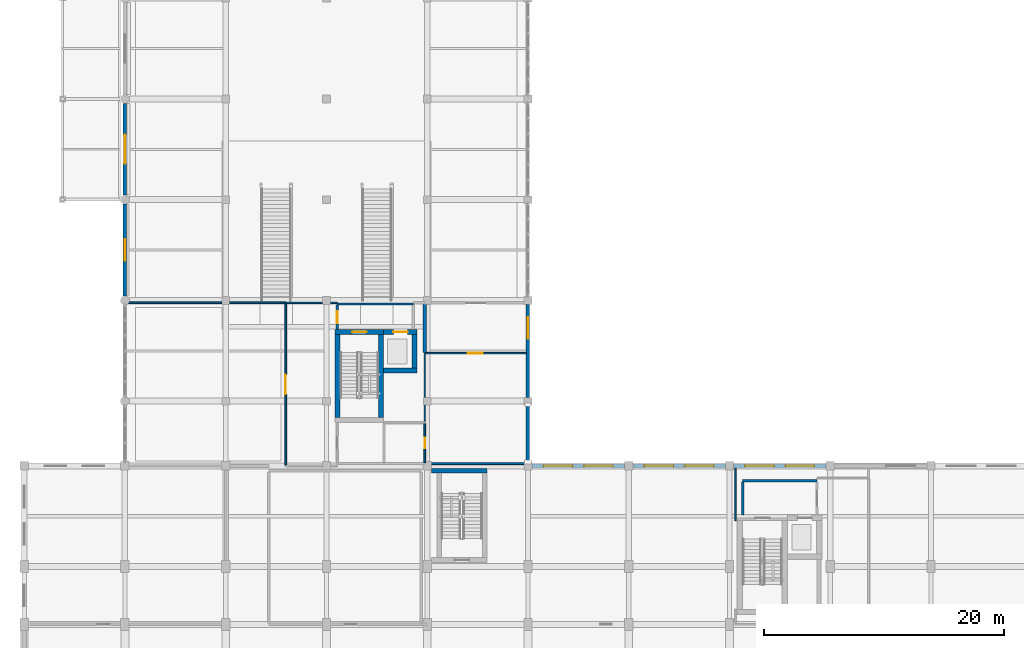
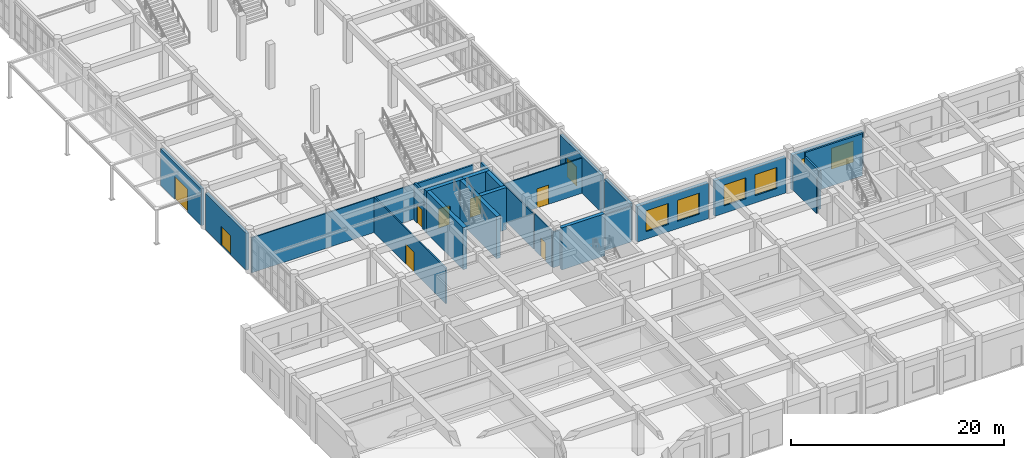
# One storey, part 57 of 80: 27 walls, 9 doors, 6 windows, 15 openings.
"""IFC4 building model written with IfcOpenShell, lengths in metres."""

from ifc_helpers import new_model, si_unit, direction, frame, frame_2d, origin, place, context, subcontext, project, spatial, rectangle, extrude, material, layer, layer_set, type_object, element, fill, save


model = new_model("IFC4")

# Units and contexts
model_context = context("Model", 3, precision=1e-05, world=origin(), true_north=direction((0.0, 1.0)))
body_context = subcontext(model_context, "Body", "Model", "MODEL_VIEW")
ifc_project = project(units=[si_unit("LENGTHUNIT", "METRE"), si_unit("AREAUNIT", "SQUARE_METRE"), si_unit("VOLUMEUNIT", "CUBIC_METRE"), si_unit("PLANEANGLEUNIT", "RADIAN"), si_unit("MASSUNIT", "GRAM", prefix="KILO")], contexts=[model_context])

# Site, building, storey
site_placement = place(None, origin())
site = spatial("IfcSite", under=ifc_project, at=site_placement, CompositionType="ELEMENT")
building_placement = place(site_placement, origin())
building = spatial("IfcBuilding", under=site, at=building_placement, Name="Krzemoval Escarpment Law Courts", CompositionType="ELEMENT")
storey_placement = place(building_placement, origin())
storey = spatial("IfcBuildingStorey", under=building, at=storey_placement, Name="L00", CompositionType="ELEMENT", Elevation=0.0)

# Wall, opening, door
ifc_material_1 = material(Name="Precast concrete C40/50", Category="concrete")
ifc_layer_1 = layer(ifc_material_1, 0.300048828125)
ifc_layer_set_1 = layer_set([ifc_layer_1], Name="Precast concrete C40/50")
wall_type_1 = type_object("IfcWallType", Name="WL-EXT-300", PredefinedType="SOLIDWALL", material=ifc_layer_set_1)
wall_1_placement = place(storey_placement, frame((8.39990234375, 49.574951171875, 0.0), z_axis=(0.0, 0.0, 1.0), x_axis=(0.0, 1.0, 0.0)))
wall_1 = element("IfcWall", 1, at=wall_1_placement, inside=storey, type_object=wall_type_1, Name="Exterior Wall EW-L00-0065", PredefinedType="SOLIDWALL", context=body_context, shape_type="SweptSolid", body=[
    extrude(rectangle(XDim=7.650146484375, YDim=0.300048828125, at=frame_2d((3.8251953125, 0.0))), origin(), (0.0, 0.0, 1.0), 4.219970703125),
])
opening_1_placement = place(wall_1_placement, frame((2.925048828125, 0.0, 0.0)))
opening_1 = element("IfcOpeningElement", 2, at=opening_1_placement, cuts=wall_1, Name="Opening E07A", PredefinedType="OPENING", context=body_context, shape_type="SweptSolid", body=[
    extrude(rectangle(XDim=1.800048828125, YDim=2.199951171875, at=frame_2d((0.89990234375, 1.10009765625))), frame((0.0, 0.16502, 0.0), z_axis=(0.0, -1.0, 0.0), x_axis=(1.0, 0.0, 0.0)), (0.0, 0.0, 1.0), 0.33005),
])
ifc_material_2 = material(Name="Galvanised Steel S355", Category="steel")
door_type_1 = type_object("IfcDoorType", Name="DR-EXIT-1800x2200", OperationType="SINGLE_SWING_LEFT", PredefinedType="DOOR", material=ifc_material_2)
door_1_placement = place(opening_1_placement, origin())
door_1 = element("IfcDoor", 3, at=door_1_placement, inside=storey, type_object=door_type_1, Name="Final Exit Discharge Door E07A (Stair ST7 West Forecourt)", OperationType="DOUBLE_DOOR_SINGLE_SWING", OverallHeight=2.199951171875, OverallWidth=1.800048828125, PredefinedType="DOOR", context=body_context, shape_type="SweptSolid", body=[
    extrude(rectangle(XDim=1.800048828125, YDim=2.199951171875, at=frame_2d((0.89990234375, 1.10009765625))), frame((0.0, 0.02490234375, 0.0), z_axis=(0.0, -1.0, 0.0), x_axis=(1.0, 0.0, 0.0)), (0.0, 0.0, 1.0), 0.050048828125),
])
fill(opening_1, door_1)

wall_2_placement = place(storey_placement, frame((8.39990234375, 57.97509765625, 0.0), z_axis=(0.0, 0.0, 1.0), x_axis=(0.0, 1.0, 0.0)))
wall_2 = element("IfcWall", 4, at=wall_2_placement, inside=storey, type_object=wall_type_1, Name="Exterior Wall EW-L00-0066", PredefinedType="SOLIDWALL", context=body_context, shape_type="SweptSolid", body=[
    extrude(rectangle(XDim=7.64990234375, YDim=0.300048828125, at=frame_2d((3.824951171875, 0.0))), origin(), (0.0, 0.0, 1.0), 4.219970703125),
])
opening_2_placement = place(wall_2_placement, frame((2.625, 0.0, 0.0)))
opening_2 = element("IfcOpeningElement", 5, at=opening_2_placement, cuts=wall_2, Name="Opening ED-L00-01", PredefinedType="OPENING", context=body_context, shape_type="SweptSolid", body=[
    extrude(rectangle(XDim=2.39990234375, YDim=2.60009765625, at=frame_2d((1.199951171875, 1.300048828125))), frame((0.0, 0.16502, 0.0), z_axis=(0.0, -1.0, 0.0), x_axis=(1.0, 0.0, 0.0)), (0.0, 0.0, 1.0), 0.33005),
])
ifc_material_3 = material(Name="Thermally Broken Aluminium and Laminated Safety Glass", Category="aluminium")
door_type_2 = type_object("IfcDoorType", Name="DR-ENT-2400x2600", OperationType="SINGLE_SWING_LEFT", PredefinedType="DOOR", material=ifc_material_3)
door_2_placement = place(opening_2_placement, origin())
door_2 = element("IfcDoor", 6, at=door_2_placement, inside=storey, type_object=door_type_2, Name="Ground Entrance Door ED-L00-01", OperationType="DOUBLE_DOOR_SINGLE_SWING", OverallHeight=2.60009765625, OverallWidth=2.39990234375, PredefinedType="DOOR", context=body_context, shape_type="SweptSolid", body=[
    extrude(rectangle(XDim=2.39990234375, YDim=2.60009765625, at=frame_2d((1.199951171875, 1.300048828125))), frame((0.0, 0.02490234375, 0.0), z_axis=(0.0, -1.0, 0.0), x_axis=(1.0, 0.0, 0.0)), (0.0, 0.0, 1.0), 0.050048828125),
])
fill(opening_2, door_2)

wall_3_placement = place(storey_placement, frame((42.0, 48.875, 0.0), z_axis=(0.0, 0.0, 1.0), x_axis=(0.0, -1.0, 0.0)))
wall_3 = element("IfcWall", 7, at=wall_3_placement, inside=storey, type_object=wall_type_1, Name="Exterior Wall EW-L00-0166", PredefinedType="SOLIDWALL", context=body_context, shape_type="SweptSolid", body=[
    extrude(rectangle(XDim=7.75, YDim=0.300048828125, at=frame_2d((3.875, 0.0))), origin(), (0.0, 0.0, 1.0), 4.219970703125),
])
opening_3_placement = place(wall_3_placement, frame((1.074951171875, 0.0, 0.0)))
opening_3 = element("IfcOpeningElement", 8, at=opening_3_placement, cuts=wall_3, Name="Opening E05A", PredefinedType="OPENING", context=body_context, shape_type="SweptSolid", body=[
    extrude(rectangle(XDim=1.800048828125, YDim=2.199951171875, at=frame_2d((0.89990234375, 1.10009765625))), frame((0.0, 0.16502, 0.0), z_axis=(0.0, -1.0, 0.0), x_axis=(1.0, 0.0, 0.0)), (0.0, 0.0, 1.0), 0.33005),
])
door_3_placement = place(opening_3_placement, origin())
door_3 = element("IfcDoor", 9, at=door_3_placement, inside=storey, type_object=door_type_1, Name="Final Exit Discharge Door E05A (Stair ST5 South Cloister)", OperationType="DOUBLE_DOOR_SINGLE_SWING", OverallHeight=2.199951171875, OverallWidth=1.800048828125, PredefinedType="DOOR", context=body_context, shape_type="SweptSolid", body=[
    extrude(rectangle(XDim=1.800048828125, YDim=2.199951171875, at=frame_2d((0.89990234375, 1.10009765625))), frame((0.0, 0.02490234375, 0.0), z_axis=(0.0, -1.0, 0.0), x_axis=(1.0, 0.0, 0.0)), (0.0, 0.0, 1.0), 0.050048828125),
])
fill(opening_3, door_3)

# Wall
wall_4_placement = place(storey_placement, frame((42.0, 40.47509765625, 0.0), z_axis=(0.0, 0.0, 1.0), x_axis=(0.0, -1.0, 0.0)))
element("IfcWall", 10, at=wall_4_placement, inside=storey, type_object=wall_type_1, Name="Exterior Wall EW-L00-0167", PredefinedType="SOLIDWALL", context=body_context, shape_type="SweptSolid", body=[
    extrude(rectangle(XDim=4.72509765625, YDim=0.300048828125, at=frame_2d((2.362548828125, 0.0))), origin(), (0.0, 0.0, 1.0), 4.219970703125),
])

# Wall, openings, windows
ifc_material_4 = material(Name="Precast concrete C40/50", Category="concrete")
ifc_layer_2 = layer(ifc_material_4, 0.360107421875)
ifc_layer_set_2 = layer_set([ifc_layer_2], Name="Precast concrete C40/50")
wall_type_2 = type_object("IfcWallType", Name="WL-EXT-360", PredefinedType="SOLIDWALL", material=ifc_layer_set_2)
wall_5_placement = place(storey_placement, frame((42.35009765625, 35.39990234375, 0.0), z_axis=(0.0, 0.0, 1.0), x_axis=(1.0, 0.0, 0.0)))
wall_5 = element("IfcWall", 11, at=wall_5_placement, inside=storey, type_object=wall_type_2, Name="Exterior Wall EW-L00-0168", PredefinedType="SOLIDWALL", context=body_context, shape_type="SweptSolid", body=[
    extrude(rectangle(XDim=7.699951171875, YDim=0.360107421875, at=frame_2d((3.85009765625, 0.0))), origin(), (0.0, 0.0, 1.0), 4.070068359375),
])
opening_4_placement = place(wall_5_placement, frame((0.967041015625, 0.0, 0.85009765625)))
opening_4 = element("IfcOpeningElement", 12, at=opening_4_placement, cuts=wall_5, Name="Opening WN-L00-0132", PredefinedType="OPENING", context=body_context, shape_type="SweptSolid", body=[
    extrude(rectangle(XDim=2.39990234375, YDim=2.39990234375, at=frame_2d((1.199951171875, 1.199951171875))), frame((0.0, 0.19505, 0.0), z_axis=(0.0, -1.0, 0.0), x_axis=(1.0, 0.0, 0.0)), (0.0, 0.0, 1.0), 0.39011),
])
opening_5_placement = place(wall_5_placement, frame((4.3330078125, 0.0, 0.85009765625)))
opening_5 = element("IfcOpeningElement", 13, at=opening_5_placement, cuts=wall_5, Name="Opening WN-L00-0133", PredefinedType="OPENING", context=body_context, shape_type="SweptSolid", body=[
    extrude(rectangle(XDim=2.39990234375, YDim=2.39990234375, at=frame_2d((1.199951171875, 1.199951171875))), frame((0.0, 0.19505, 0.0), z_axis=(0.0, -1.0, 0.0), x_axis=(1.0, 0.0, 0.0)), (0.0, 0.0, 1.0), 0.39011),
])
ifc_material_5 = material(Name="Thermally Broken Aluminium Frame with Triple Low-E Acoustic Glass", Category="aluminium")
window_type = type_object("IfcWindowType", Name="WN-2400x2400", PartitioningType="SINGLE_PANEL", PredefinedType="WINDOW", material=ifc_material_5)
window_1_placement = place(opening_4_placement, origin())
window_1 = element("IfcWindow", 14, at=window_1_placement, inside=storey, type_object=window_type, Name="Facade Window WN-L00-0132", OverallHeight=2.39990234375, OverallWidth=2.39990234375, PartitioningType="SINGLE_PANEL", PredefinedType="WINDOW", context=body_context, shape_type="SweptSolid", body=[
    extrude(rectangle(XDim=2.39990234375, YDim=2.39990234375, at=frame_2d((1.199951171875, 1.199951171875))), frame((0.0, 0.030029296875, 0.0), z_axis=(0.0, -1.0, 0.0), x_axis=(1.0, 0.0, 0.0)), (0.0, 0.0, 1.0), 0.06005859375),
])
fill(opening_4, window_1)
window_2_placement = place(opening_5_placement, origin())
window_2 = element("IfcWindow", 15, at=window_2_placement, inside=storey, type_object=window_type, Name="Facade Window WN-L00-0133", OverallHeight=2.39990234375, OverallWidth=2.39990234375, PartitioningType="SINGLE_PANEL", PredefinedType="WINDOW", context=body_context, shape_type="SweptSolid", body=[
    extrude(rectangle(XDim=2.39990234375, YDim=2.39990234375, at=frame_2d((1.199951171875, 1.199951171875))), frame((0.0, 0.030029296875, 0.0), z_axis=(0.0, -1.0, 0.0), x_axis=(1.0, 0.0, 0.0)), (0.0, 0.0, 1.0), 0.06005859375),
])
fill(opening_5, window_2)

wall_6_placement = place(storey_placement, frame((50.75, 35.39990234375, 0.0), z_axis=(0.0, 0.0, 1.0), x_axis=(1.0, 0.0, 0.0)))
wall_6 = element("IfcWall", 16, at=wall_6_placement, inside=storey, type_object=wall_type_2, Name="Exterior Wall EW-L00-0169", PredefinedType="SOLIDWALL", context=body_context, shape_type="SweptSolid", body=[
    extrude(rectangle(XDim=7.699951171875, YDim=0.360107421875, at=frame_2d((3.85009765625, 0.0))), origin(), (0.0, 0.0, 1.0), 4.070068359375),
])
opening_6_placement = place(wall_6_placement, frame((0.967041015625, 0.0, 0.85009765625)))
opening_6 = element("IfcOpeningElement", 17, at=opening_6_placement, cuts=wall_6, Name="Opening WN-L00-0134", PredefinedType="OPENING", context=body_context, shape_type="SweptSolid", body=[
    extrude(rectangle(XDim=2.39990234375, YDim=2.39990234375, at=frame_2d((1.199951171875, 1.199951171875))), frame((0.0, 0.19505, 0.0), z_axis=(0.0, -1.0, 0.0), x_axis=(1.0, 0.0, 0.0)), (0.0, 0.0, 1.0), 0.39011),
])
opening_7_placement = place(wall_6_placement, frame((4.3330078125, 0.0, 0.85009765625)))
opening_7 = element("IfcOpeningElement", 18, at=opening_7_placement, cuts=wall_6, Name="Opening WN-L00-0135", PredefinedType="OPENING", context=body_context, shape_type="SweptSolid", body=[
    extrude(rectangle(XDim=2.39990234375, YDim=2.39990234375, at=frame_2d((1.199951171875, 1.199951171875))), frame((0.0, 0.19505, 0.0), z_axis=(0.0, -1.0, 0.0), x_axis=(1.0, 0.0, 0.0)), (0.0, 0.0, 1.0), 0.39011),
])
window_3_placement = place(opening_6_placement, origin())
window_3 = element("IfcWindow", 19, at=window_3_placement, inside=storey, type_object=window_type, Name="Facade Window WN-L00-0134", OverallHeight=2.39990234375, OverallWidth=2.39990234375, PartitioningType="SINGLE_PANEL", PredefinedType="WINDOW", context=body_context, shape_type="SweptSolid", body=[
    extrude(rectangle(XDim=2.39990234375, YDim=2.39990234375, at=frame_2d((1.199951171875, 1.199951171875))), frame((0.0, 0.030029296875, 0.0), z_axis=(0.0, -1.0, 0.0), x_axis=(1.0, 0.0, 0.0)), (0.0, 0.0, 1.0), 0.06005859375),
])
fill(opening_6, window_3)
window_4_placement = place(opening_7_placement, origin())
window_4 = element("IfcWindow", 20, at=window_4_placement, inside=storey, type_object=window_type, Name="Facade Window WN-L00-0135", OverallHeight=2.39990234375, OverallWidth=2.39990234375, PartitioningType="SINGLE_PANEL", PredefinedType="WINDOW", context=body_context, shape_type="SweptSolid", body=[
    extrude(rectangle(XDim=2.39990234375, YDim=2.39990234375, at=frame_2d((1.199951171875, 1.199951171875))), frame((0.0, 0.030029296875, 0.0), z_axis=(0.0, -1.0, 0.0), x_axis=(1.0, 0.0, 0.0)), (0.0, 0.0, 1.0), 0.06005859375),
])
fill(opening_7, window_4)

wall_7_placement = place(storey_placement, frame((59.14990234375, 35.39990234375, 0.0), z_axis=(0.0, 0.0, 1.0), x_axis=(1.0, 0.0, 0.0)))
wall_7 = element("IfcWall", 21, at=wall_7_placement, inside=storey, type_object=wall_type_2, Name="Exterior Wall EW-L00-0170", PredefinedType="SOLIDWALL", context=body_context, shape_type="SweptSolid", body=[
    extrude(rectangle(XDim=7.7001953125, YDim=0.360107421875, at=frame_2d((3.85009765625, 0.0))), origin(), (0.0, 0.0, 1.0), 4.070068359375),
])
opening_8_placement = place(wall_7_placement, frame((0.967041015625, 0.0, 0.85009765625)))
opening_8 = element("IfcOpeningElement", 22, at=opening_8_placement, cuts=wall_7, Name="Opening WN-L00-0136", PredefinedType="OPENING", context=body_context, shape_type="SweptSolid", body=[
    extrude(rectangle(XDim=2.39990234375, YDim=2.39990234375, at=frame_2d((1.199951171875, 1.199951171875))), frame((0.0, 0.19505, 0.0), z_axis=(0.0, -1.0, 0.0), x_axis=(1.0, 0.0, 0.0)), (0.0, 0.0, 1.0), 0.39011),
])
opening_9_placement = place(wall_7_placement, frame((4.3330078125, 0.0, 0.85009765625)))
opening_9 = element("IfcOpeningElement", 23, at=opening_9_placement, cuts=wall_7, Name="Opening WN-L00-0137", PredefinedType="OPENING", context=body_context, shape_type="SweptSolid", body=[
    extrude(rectangle(XDim=2.39990234375, YDim=2.39990234375, at=frame_2d((1.199951171875, 1.199951171875))), frame((0.0, 0.19505, 0.0), z_axis=(0.0, -1.0, 0.0), x_axis=(1.0, 0.0, 0.0)), (0.0, 0.0, 1.0), 0.39011),
])
window_5_placement = place(opening_8_placement, origin())
window_5 = element("IfcWindow", 24, at=window_5_placement, inside=storey, type_object=window_type, Name="Facade Window WN-L00-0136", OverallHeight=2.39990234375, OverallWidth=2.39990234375, PartitioningType="SINGLE_PANEL", PredefinedType="WINDOW", context=body_context, shape_type="SweptSolid", body=[
    extrude(rectangle(XDim=2.39990234375, YDim=2.39990234375, at=frame_2d((1.199951171875, 1.199951171875))), frame((0.0, 0.030029296875, 0.0), z_axis=(0.0, -1.0, 0.0), x_axis=(1.0, 0.0, 0.0)), (0.0, 0.0, 1.0), 0.06005859375),
])
fill(opening_8, window_5)
window_6_placement = place(opening_9_placement, origin())
window_6 = element("IfcWindow", 25, at=window_6_placement, inside=storey, type_object=window_type, Name="Facade Window WN-L00-0137", OverallHeight=2.39990234375, OverallWidth=2.39990234375, PartitioningType="SINGLE_PANEL", PredefinedType="WINDOW", context=body_context, shape_type="SweptSolid", body=[
    extrude(rectangle(XDim=2.39990234375, YDim=2.39990234375, at=frame_2d((1.199951171875, 1.199951171875))), frame((0.0, 0.030029296875, 0.0), z_axis=(0.0, -1.0, 0.0), x_axis=(1.0, 0.0, 0.0)), (0.0, 0.0, 1.0), 0.06005859375),
])
fill(opening_9, window_6)

# Wall
ifc_material_6 = material(Name="Light Internal Subdivision Partition", Category="gypsum")
ifc_layer_3 = layer(ifc_material_6, 0.114990234375)
ifc_layer_set_3 = layer_set([ifc_layer_3], Name="Light Internal Subdivision Partition")
wall_type_3 = type_object("IfcWallType", Name="WL-PRT-115", PredefinedType="PARTITIONING", material=ifc_layer_set_3)
wall_8_placement = place(storey_placement, frame((33.39990234375, 39.072021484375, 0.0), z_axis=(0.0, 0.0, 1.0), x_axis=(0.0, 1.0, 0.0)))
element("IfcWall", 26, at=wall_8_placement, inside=storey, type_object=wall_type_3, Name="Interior Partition PW-L00-0166", PredefinedType="PARTITIONING", context=body_context, shape_type="SweptSolid", body=[
    extrude(rectangle(XDim=5.6630859375, YDim=0.114990234375, at=frame_2d((2.83154296875, 0.0))), origin(), (0.0, 0.0, 1.0), 4.02001953125),
])

# Wall, opening, door
ifc_material_7 = material(Name="Standard Metal-Stud Gypsum Partition", Category="gypsum")
ifc_layer_4 = layer(ifc_material_7, 0.125)
ifc_layer_set_4 = layer_set([ifc_layer_4], Name="Standard Metal-Stud Gypsum Partition")
wall_type_4 = type_object("IfcWallType", Name="WL-PRT-125", PredefinedType="PARTITIONING", material=ifc_layer_set_4)
wall_9_placement = place(storey_placement, frame((33.39990234375, 44.800048828125, 0.0), z_axis=(0.0, 0.0, 1.0), x_axis=(1.0, 0.0, 0.0)))
wall_9 = element("IfcWall", 27, at=wall_9_placement, inside=storey, type_object=wall_type_4, Name="Interior Partition PW-L00-0121", PredefinedType="PARTITIONING", context=body_context, shape_type="SweptSolid", body=[
    extrude(rectangle(XDim=8.447998046875, YDim=0.125, at=frame_2d((4.22412109375, 0.0))), origin(), (0.0, 0.0, 1.0), 4.02001953125),
])
opening_10_placement = place(wall_9_placement, frame((3.59912109375, 0.0, 0.0)))
opening_10 = element("IfcOpeningElement", 28, at=opening_10_placement, cuts=wall_9, Name="Opening D-L00-0063", PredefinedType="OPENING", context=body_context, shape_type="SweptSolid", body=[
    extrude(rectangle(XDim=1.25, YDim=2.199951171875, at=frame_2d((0.625, 1.10009765625))), frame((0.0, 0.0775, 0.0), z_axis=(0.0, -1.0, 0.0), x_axis=(1.0, 0.0, 0.0)), (0.0, 0.0, 1.0), 0.155),
])
ifc_material_8 = material(Name="Engineered Solid-Core Oak Acoustic Timber", Category="wood")
door_type_3 = type_object("IfcDoorType", Name="DR-INT-1250x2200", OperationType="SINGLE_SWING_LEFT", PredefinedType="DOOR", material=ifc_material_8)
door_4_placement = place(opening_10_placement, origin())
door_4 = element("IfcDoor", 29, at=door_4_placement, inside=storey, type_object=door_type_3, Name="Room Door D-L00-0063", OperationType="SINGLE_SWING_RIGHT", OverallHeight=2.199951171875, OverallWidth=1.25, PredefinedType="DOOR", context=body_context, shape_type="SweptSolid", body=[
    extrude(rectangle(XDim=1.25, YDim=2.199951171875, at=frame_2d((0.625, 1.10009765625))), frame((0.0, 0.02490234375, 0.0), z_axis=(0.0, -1.0, 0.0), x_axis=(1.0, 0.0, 0.0)), (0.0, 0.0, 1.0), 0.050048828125),
])
fill(opening_10, door_4)

# Walls
wall_10_placement = place(storey_placement, frame((21.800048828125, 49.0, 0.0), z_axis=(0.0, 0.0, 1.0), x_axis=(1.0, 0.0, 0.0)))
element("IfcWall", 30, at=wall_10_placement, inside=storey, type_object=wall_type_4, Name="Interior Partition PW-L00-0124", PredefinedType="PARTITIONING", context=body_context, shape_type="SweptSolid", body=[
    extrude(rectangle(XDim=4.300048828125, YDim=0.125, at=frame_2d((2.14990234375, 0.0))), origin(), (0.0, 0.0, 1.0), 4.02001953125),
])
wall_11_placement = place(storey_placement, frame((59.300048828125, 30.847900390625, 0.0), z_axis=(0.0, 0.0, 1.0), x_axis=(0.0, 1.0, 0.0)))
element("IfcWall", 31, at=wall_11_placement, inside=storey, type_object=wall_type_4, Name="Interior Partition PW-L00-0174", PredefinedType="PARTITIONING", context=body_context, shape_type="SweptSolid", body=[
    extrude(rectangle(XDim=4.3701171875, YDim=0.125, at=frame_2d((2.18505859375, 0.0))), origin(), (0.0, 0.0, 1.0), 4.070068359375),
])

# Wall, opening, door
ifc_material_9 = material(Name="Sanitary Moisture-Resistant Partition", Category="gypsum")
ifc_layer_5 = layer(ifc_material_9, 0.139892578125)
ifc_layer_set_5 = layer_set([ifc_layer_5], Name="Sanitary Moisture-Resistant Partition")
wall_type_5 = type_object("IfcWallType", Name="WL-PRT-140", PredefinedType="PARTITIONING", material=ifc_layer_set_5)
wall_12_placement = place(storey_placement, frame((21.800048828125, 35.465087890625, 0.0), z_axis=(0.0, 0.0, 1.0), x_axis=(0.0, 1.0, 0.0)))
wall_12 = element("IfcWall", 32, at=wall_12_placement, inside=storey, type_object=wall_type_5, Name="Interior Partition PW-L00-0157", PredefinedType="PARTITIONING", context=body_context, shape_type="SweptSolid", body=[
    extrude(rectangle(XDim=13.4580078125, YDim=0.139892578125, at=frame_2d((6.72900390625, 0.0))), origin(), (0.0, 0.0, 1.0), 4.070068359375),
])
opening_11_placement = place(wall_12_placement, frame((5.928955078125, 0.0, 0.0)))
opening_11 = element("IfcOpeningElement", 33, at=opening_11_placement, cuts=wall_12, Name="Opening D-L00-0060", PredefinedType="OPENING", context=body_context, shape_type="SweptSolid", body=[
    extrude(rectangle(XDim=1.60009765625, YDim=2.300048828125, at=frame_2d((0.800048828125, 1.14990234375))), frame((0.0, 0.08495, 0.0), z_axis=(0.0, -1.0, 0.0), x_axis=(1.0, 0.0, 0.0)), (0.0, 0.0, 1.0), 0.16989),
])
ifc_material_10 = material(Name="Engineered Solid-Core Oak Acoustic Timber", Category="wood")
door_type_4 = type_object("IfcDoorType", Name="DR-CRT-1600x2300", OperationType="SINGLE_SWING_LEFT", PredefinedType="DOOR", material=ifc_material_10)
door_5_placement = place(opening_11_placement, origin())
door_5 = element("IfcDoor", 34, at=door_5_placement, inside=storey, type_object=door_type_4, Name="Room Door D-L00-0060", OperationType="SINGLE_SWING_LEFT", OverallHeight=2.300048828125, OverallWidth=1.60009765625, PredefinedType="DOOR", context=body_context, shape_type="SweptSolid", body=[
    extrude(rectangle(XDim=1.60009765625, YDim=2.300048828125, at=frame_2d((0.800048828125, 1.14990234375))), frame((0.0, 0.02490234375, 0.0), z_axis=(0.0, -1.0, 0.0), x_axis=(1.0, 0.0, 0.0)), (0.0, 0.0, 1.0), 0.050048828125),
])
fill(opening_11, door_5)

wall_13_placement = place(storey_placement, frame((33.39990234375, 35.681884765625, 0.0), z_axis=(0.0, 0.0, 1.0), x_axis=(0.0, 1.0, 0.0)))
wall_13 = element("IfcWall", 35, at=wall_13_placement, inside=storey, type_object=wall_type_5, Name="Interior Partition PW-L00-0165", PredefinedType="PARTITIONING", context=body_context, shape_type="SweptSolid", body=[
    extrude(rectangle(XDim=3.24609375, YDim=0.139892578125, at=frame_2d((1.623046875, 0.0))), origin(), (0.0, 0.0, 1.0), 4.169921875),
])
opening_12_placement = place(wall_13_placement, frame((1.173095703125, 0.0, 0.0)))
opening_12 = element("IfcOpeningElement", 36, at=opening_12_placement, cuts=wall_13, Name="Opening D-L00-0062", PredefinedType="OPENING", context=body_context, shape_type="SweptSolid", body=[
    extrude(rectangle(XDim=0.89990234375, YDim=2.10009765625, at=frame_2d((0.449951171875, 1.050048828125))), frame((0.0, 0.08495, 0.0), z_axis=(0.0, -1.0, 0.0), x_axis=(1.0, 0.0, 0.0)), (0.0, 0.0, 1.0), 0.16989),
])
ifc_material_11 = material(Name="Engineered Solid-Core Oak Acoustic Timber", Category="wood")
door_type_5 = type_object("IfcDoorType", Name="DR-INT-900x2100", OperationType="SINGLE_SWING_LEFT", PredefinedType="DOOR", material=ifc_material_11)
door_6_placement = place(opening_12_placement, origin())
door_6 = element("IfcDoor", 37, at=door_6_placement, inside=storey, type_object=door_type_5, Name="Room Door D-L00-0062", OperationType="SINGLE_SWING_LEFT", OverallHeight=2.10009765625, OverallWidth=0.89990234375, PredefinedType="DOOR", context=body_context, shape_type="SweptSolid", body=[
    extrude(rectangle(XDim=0.89990234375, YDim=2.10009765625, at=frame_2d((0.449951171875, 1.050048828125))), frame((0.0, 0.02490234375, 0.0), z_axis=(0.0, -1.0, 0.0), x_axis=(1.0, 0.0, 0.0)), (0.0, 0.0, 1.0), 0.050048828125),
])
fill(opening_12, door_6)

# Walls
ifc_material_12 = material(Name="Office Acoustic Partition Wall", Category="gypsum")
ifc_layer_6 = layer(ifc_material_12, 0.14990234375)
ifc_layer_set_6 = layer_set([ifc_layer_6], Name="Office Acoustic Partition Wall")
wall_type_6 = type_object("IfcWallType", Name="WL-PRT-150", PredefinedType="PARTITIONING", material=ifc_layer_set_6)
wall_14_placement = place(storey_placement, frame((8.5048828125, 49.0, 0.0), z_axis=(0.0, 0.0, 1.0), x_axis=(1.0, 0.0, 0.0)))
element("IfcWall", 38, at=wall_14_placement, inside=storey, type_object=wall_type_6, Name="Interior Partition PW-L00-0123", PredefinedType="PARTITIONING", context=body_context, shape_type="SweptSolid", body=[
    extrude(rectangle(XDim=13.295166015625, YDim=0.14990234375, at=frame_2d((6.6474609375, 0.0))), origin(), (0.0, 0.0, 1.0), 4.02001953125),
])
ifc_material_13 = material(Name="Jury Suite Partition Assembly", Category="gypsum")
ifc_layer_7 = layer(ifc_material_13, 0.159912109375)
ifc_layer_set_7 = layer_set([ifc_layer_7], Name="Jury Suite Partition Assembly")
wall_type_7 = type_object("IfcWallType", Name="WL-PRT-160", PredefinedType="PARTITIONING", material=ifc_layer_set_7)
wall_15_placement = place(storey_placement, frame((33.39990234375, 35.60009765625, 0.0), z_axis=(0.0, 0.0, 1.0), x_axis=(1.0, 0.0, 0.0)))
element("IfcWall", 39, at=wall_15_placement, inside=storey, type_object=wall_type_7, Name="Interior Partition PW-L00-0118", PredefinedType="PARTITIONING", context=body_context, shape_type="SweptSolid", body=[
    extrude(rectangle(XDim=8.47705078125, YDim=0.159912109375, at=frame_2d((4.238525390625, 0.0))), origin(), (0.0, 0.0, 1.0), 4.070068359375),
])
ifc_material_14 = material(Name="Fire-Rated Corridor Partition Wall", Category="gypsum")
ifc_layer_8 = layer(ifc_material_14, 0.199951171875)
ifc_layer_set_8 = layer_set([ifc_layer_8], Name="Fire-Rated Corridor Partition Wall")
wall_type_8 = type_object("IfcWallType", Name="WL-PRT-200", PredefinedType="PARTITIONING", material=ifc_layer_set_8)
wall_16_placement = place(storey_placement, frame((59.89990234375, 34.14990234375, 0.0), z_axis=(0.0, 0.0, 1.0), x_axis=(1.0, 0.0, 0.0)))
element("IfcWall", 40, at=wall_16_placement, inside=storey, type_object=wall_type_8, Name="Interior Partition PW-L00-0106", PredefinedType="PARTITIONING", context=body_context, shape_type="SweptSolid", body=[
    extrude(rectangle(XDim=6.2001953125, YDim=0.199951171875, at=frame_2d((3.10009765625, 0.0))), origin(), (0.0, 0.0, 1.0), 4.820068359375),
])
wall_17_placement = place(storey_placement, frame((26.10009765625, 48.89990234375, 0.0), z_axis=(0.0, 0.0, 1.0), x_axis=(1.0, 0.0, 0.0)))
element("IfcWall", 41, at=wall_17_placement, inside=storey, type_object=wall_type_8, Name="Interior Partition PW-L00-0122", PredefinedType="PARTITIONING", context=body_context, shape_type="SweptSolid", body=[
    extrude(rectangle(XDim=6.349853515625, YDim=0.199951171875, at=frame_2d((3.1748046875, 0.0))), origin(), (0.0, 0.0, 1.0), 4.070068359375),
])

# Wall, opening, door
wall_18_placement = place(storey_placement, frame((26.10009765625, 46.77197265625, 0.0), z_axis=(0.0, 0.0, 1.0), x_axis=(0.0, 1.0, 0.0)))
wall_18 = element("IfcWall", 42, at=wall_18_placement, inside=storey, type_object=wall_type_8, Name="Interior Partition PW-L00-0159", PredefinedType="PARTITIONING", context=body_context, shape_type="SweptSolid", body=[
    extrude(rectangle(XDim=2.026123046875, YDim=0.199951171875, at=frame_2d((1.01318359375, 0.0))), origin(), (0.0, 0.0, 1.0), 4.27001953125),
])
opening_13_placement = place(wall_18_placement, frame((0.512939453125, 0.0, 0.0)))
opening_13 = element("IfcOpeningElement", 43, at=opening_13_placement, cuts=wall_18, Name="Opening D-L00-0039", PredefinedType="OPENING", context=body_context, shape_type="SweptSolid", body=[
    extrude(rectangle(XDim=1.0, YDim=2.10009765625, at=frame_2d((0.5, 1.050048828125))), frame((0.0, 0.11498, 0.0), z_axis=(0.0, -1.0, 0.0), x_axis=(1.0, 0.0, 0.0)), (0.0, 0.0, 1.0), 0.22995),
])
ifc_material_15 = material(Name="Engineered Solid-Core Oak Acoustic Timber", Category="wood")
door_type_6 = type_object("IfcDoorType", Name="DR-INT-1000x2100", OperationType="SINGLE_SWING_LEFT", PredefinedType="DOOR", material=ifc_material_15)
door_7_placement = place(opening_13_placement, origin())
door_7 = element("IfcDoor", 44, at=door_7_placement, inside=storey, type_object=door_type_6, Name="Room Door D-L00-0039", OperationType="SINGLE_SWING_RIGHT", OverallHeight=2.10009765625, OverallWidth=1.0, PredefinedType="DOOR", context=body_context, shape_type="SweptSolid", body=[
    extrude(rectangle(XDim=1.0, YDim=2.10009765625, at=frame_2d((0.5, 1.050048828125))), frame((0.0, 0.02490234375, 0.0), z_axis=(0.0, -1.0, 0.0), x_axis=(1.0, 0.0, 0.0)), (0.0, 0.0, 1.0), 0.050048828125),
])
fill(opening_13, door_7)

# Walls
wall_19_placement = place(storey_placement, frame((59.89990234375, 31.302001953125, 0.0), z_axis=(0.0, 0.0, 1.0), x_axis=(0.0, 1.0, 0.0)))
element("IfcWall", 45, at=wall_19_placement, inside=storey, type_object=wall_type_8, Name="Interior Partition PW-L00-0175", PredefinedType="PARTITIONING", context=body_context, shape_type="SweptSolid", body=[
    extrude(rectangle(XDim=2.74609375, YDim=0.199951171875, at=frame_2d((1.373046875, 0.0))), origin(), (0.0, 0.0, 1.0), 4.3701171875),
])
ifc_material_16 = material(Name="Acoustic Double-Stud Gypsum and Mineral Wool Wall", Category="gypsum")
ifc_layer_9 = layer(ifc_material_16, 0.260009765625)
ifc_layer_set_9 = layer_set([ifc_layer_9], Name="Acoustic Double-Stud Gypsum and Mineral Wool Wall")
wall_type_9 = type_object("IfcWallType", Name="WL-PRT-260", PredefinedType="PARTITIONING", material=ifc_layer_set_9)
wall_20_placement = place(storey_placement, frame((33.39990234375, 44.864013671875, 0.0), z_axis=(0.0, 0.0, 1.0), x_axis=(0.0, 1.0, 0.0)))
element("IfcWall", 46, at=wall_20_placement, inside=storey, type_object=wall_type_9, Name="Interior Partition PW-L00-0167", PredefinedType="PARTITIONING", context=body_context, shape_type="SweptSolid", body=[
    extrude(rectangle(XDim=4.02392578125, YDim=0.260009765625, at=frame_2d((2.011962890625, 0.0))), origin(), (0.0, 0.0, 1.0), 4.02001953125),
])
ifc_material_17 = material(Name="Concrete C40/50", Category="concrete")
ifc_layer_10 = layer(ifc_material_17, 0.3798828125)
ifc_layer_set_10 = layer_set([ifc_layer_10], Name="Concrete C40/50")
wall_type_10 = type_object("IfcWallType", Name="WL-SHW-380", PredefinedType="SHEAR", material=ifc_layer_set_10)
wall_21_placement = place(storey_placement, frame((33.94091796875, 34.989990234375, 0.0), z_axis=(0.0, 0.0, 1.0), x_axis=(1.0, 0.0, 0.0)))
element("IfcWall", 47, at=wall_21_placement, inside=storey, type_object=wall_type_10, Name="Core Stair Shear Wall SW-L00-0599", PredefinedType="SHEAR", context=body_context, shape_type="SweptSolid", body=[
    extrude(rectangle(XDim=4.63916015625, YDim=0.3798828125, at=frame_2d((2.319580078125, 0.0))), origin(), (0.0, 0.0, 1.0), 4.820068359375),
])

# Wall, opening, door
ifc_material_18 = material(Name="Concrete C40/50", Category="concrete")
ifc_layer_11 = layer(ifc_material_18, 0.419921875)
ifc_layer_set_11 = layer_set([ifc_layer_11], Name="Concrete C40/50")
wall_type_11 = type_object("IfcWallType", Name="WL-SHW-420", PredefinedType="SHEAR", material=ifc_layer_set_11)
wall_22_placement = place(storey_placement, frame((25.929931640625, 46.56005859375, 0.0), z_axis=(0.0, 0.0, 1.0), x_axis=(1.0, 0.0, 0.0)))
wall_22 = element("IfcWall", 48, at=wall_22_placement, inside=storey, type_object=wall_type_11, Name="Core Stair Shear Wall SW-L00-0512", PredefinedType="SHEAR", context=body_context, shape_type="SweptSolid", body=[
    extrude(rectangle(XDim=4.0400390625, YDim=0.419921875, at=frame_2d((2.02001953125, 0.0))), origin(), (0.0, 0.0, 1.0), 4.820068359375),
])
opening_14_placement = place(wall_22_placement, frame((1.419921875, 0.0, 0.0)))
opening_14 = element("IfcOpeningElement", 49, at=opening_14_placement, cuts=wall_22, Name="Opening SD-ST5-L00", PredefinedType="OPENING", context=body_context, shape_type="SweptSolid", body=[
    extrude(rectangle(XDim=1.199951171875, YDim=2.199951171875, at=frame_2d((0.60009765625, 1.10009765625))), frame((0.0, 0.22496, 0.0), z_axis=(0.0, -1.0, 0.0), x_axis=(1.0, 0.0, 0.0)), (0.0, 0.0, 1.0), 0.44992),
])
ifc_material_19 = material(Name="Galvanised Steel S355", Category="steel")
door_type_7 = type_object("IfcDoorType", Name="DR-STR-1200x2200", OperationType="SINGLE_SWING_LEFT", PredefinedType="DOOR", material=ifc_material_19)
door_8_placement = place(opening_14_placement, origin())
door_8 = element("IfcDoor", 50, at=door_8_placement, inside=storey, type_object=door_type_7, Name="Stair Exit Door SD-ST5-L00", OperationType="SINGLE_SWING_RIGHT", OverallHeight=2.199951171875, OverallWidth=1.199951171875, PredefinedType="DOOR", context=body_context, shape_type="SweptSolid", body=[
    extrude(rectangle(XDim=1.199951171875, YDim=2.199951171875, at=frame_2d((0.60009765625, 1.10009765625))), frame((0.0, 0.02490234375, 0.0), z_axis=(0.0, -1.0, 0.0), x_axis=(1.0, 0.0, 0.0)), (0.0, 0.0, 1.0), 0.050048828125),
])
fill(opening_14, door_8)

# Walls
for number, where, z_axis, x_axis, name in (
    (51, (26.139892578125, 39.451904296875, 0.0), (0.0, 0.0, 1.0), (0.0, 1.0, 0.0), "Core Stair Shear Wall SW-L00-0514"),
    (52, (29.760009765625, 39.451904296875, 0.0), (0.0, 0.0, 1.0), (0.0, 1.0, 0.0), "Core Stair Shear Wall SW-L00-0515"),
):
    element("IfcWall", number, at=place(storey_placement, frame(where, z_axis=z_axis, x_axis=x_axis)), inside=storey, type_object=wall_type_11, Name=name, PredefinedType="SHEAR", context=body_context, shape_type="SweptSolid", body=[
        extrude(rectangle(XDim=6.89599609375, YDim=0.419921875, at=frame_2d((3.447998046875, 0.0))), origin(), (0.0, 0.0, 1.0), 4.820068359375),
    ])
wall_23_placement = place(storey_placement, frame((29.971923828125, 43.340087890625, 0.0), z_axis=(0.0, 0.0, 1.0), x_axis=(1.0, 0.0, 0.0)))
element("IfcWall", 53, at=wall_23_placement, inside=storey, type_object=wall_type_11, Name="Lift Shaft Shear Wall SW-L00-0516", PredefinedType="SHEAR", context=body_context, shape_type="SweptSolid", body=[
    extrude(rectangle(XDim=2.798095703125, YDim=0.419921875, at=frame_2d((1.39892578125, 0.0))), origin(), (0.0, 0.0, 1.0), 4.820068359375),
])

# Wall, opening, door
wall_24_placement = place(storey_placement, frame((29.969970703125, 46.56005859375, 0.0), z_axis=(0.0, 0.0, 1.0), x_axis=(1.0, 0.0, 0.0)))
wall_24 = element("IfcWall", 54, at=wall_24_placement, inside=storey, type_object=wall_type_11, Name="Lift Shaft Shear Wall SW-L00-0517", PredefinedType="SHEAR", context=body_context, shape_type="SweptSolid", body=[
    extrude(rectangle(XDim=2.800048828125, YDim=0.419921875, at=frame_2d((1.39990234375, 0.0))), origin(), (0.0, 0.0, 1.0), 4.820068359375),
])
opening_15_placement = place(wall_24_placement, frame((0.800048828125, 0.0, 0.0)))
opening_15 = element("IfcOpeningElement", 55, at=opening_15_placement, cuts=wall_24, Name="Opening LD-PL4-L00", PredefinedType="OPENING", context=body_context, shape_type="SweptSolid", body=[
    extrude(rectangle(XDim=1.199951171875, YDim=2.14990234375, at=frame_2d((0.60009765625, 1.074951171875))), frame((0.0, 0.22496, 0.0), z_axis=(0.0, -1.0, 0.0), x_axis=(1.0, 0.0, 0.0)), (0.0, 0.0, 1.0), 0.44992),
])
ifc_material_20 = material(Name="Engineered Solid-Core Oak Acoustic Timber", Category="wood")
door_type_8 = type_object("IfcDoorType", Name="DR-LFT-1200x2150", OperationType="SINGLE_SWING_LEFT", PredefinedType="DOOR", material=ifc_material_20)
door_9_placement = place(opening_15_placement, origin())
door_9 = element("IfcDoor", 56, at=door_9_placement, inside=storey, type_object=door_type_8, Name="Lift Landing Door LD-PL4-L00", OperationType="DOUBLE_DOOR_SLIDING", OverallHeight=2.14990234375, OverallWidth=1.199951171875, PredefinedType="DOOR", context=body_context, shape_type="SweptSolid", body=[
    extrude(rectangle(XDim=1.199951171875, YDim=2.14990234375, at=frame_2d((0.60009765625, 1.074951171875))), frame((0.0, 0.02490234375, 0.0), z_axis=(0.0, -1.0, 0.0), x_axis=(1.0, 0.0, 0.0)), (0.0, 0.0, 1.0), 0.050048828125),
])
fill(opening_15, door_9)

# Wall
wall_25_placement = place(storey_placement, frame((32.56005859375, 43.552001953125, 0.0), z_axis=(0.0, 0.0, 1.0), x_axis=(0.0, 1.0, 0.0)))
element("IfcWall", 57, at=wall_25_placement, inside=storey, type_object=wall_type_11, Name="Lift Shaft Shear Wall SW-L00-0518", PredefinedType="SHEAR", context=body_context, shape_type="SweptSolid", body=[
    extrude(rectangle(XDim=2.7958984375, YDim=0.419921875, at=frame_2d((1.39794921875, 0.0))), origin(), (0.0, 0.0, 1.0), 4.820068359375),
])

save(model, "model.ifc")
